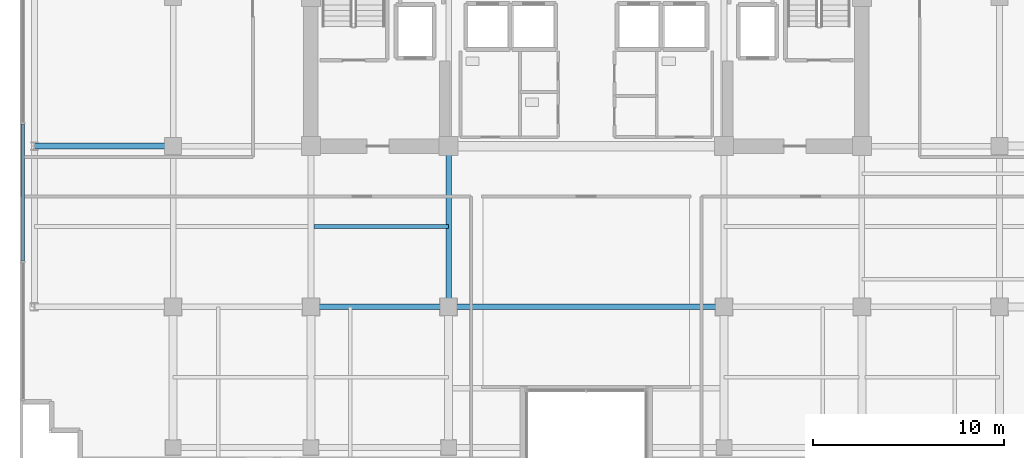
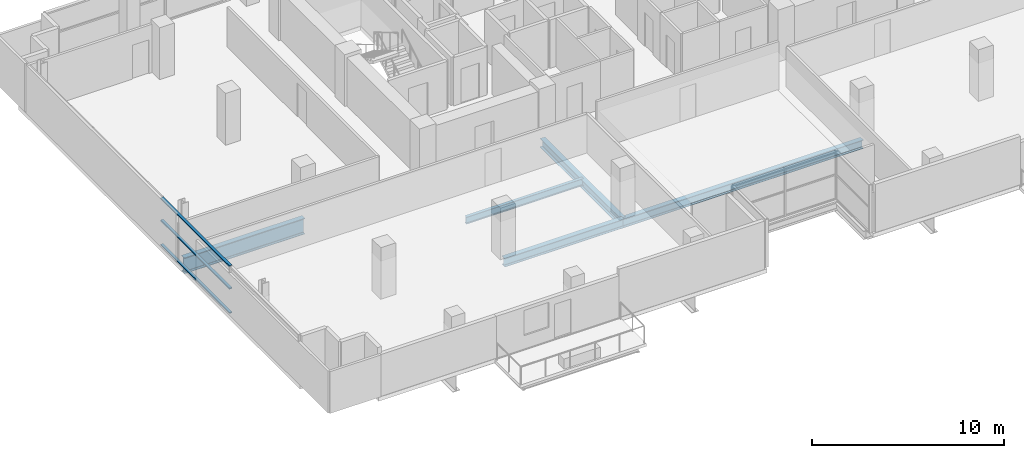
# One storey, part 7 of 27: 5 beams, 3 members, 1 element without a shape of its own.
"""IFC4 building model written with IfcOpenShell, lengths in metres."""

from ifc_helpers import new_model, si_unit, direction, frame, origin, origin_2d, place, context, subcontext, project, spatial, hollow_rectangle, i_section, extrude, source, transform, mapped, material, layer, layer_set, material_profile, profile_set, type_object, element, aggregate, save


model = new_model("IFC4")

# Units and contexts
model_context = context("Model", 3, precision=1e-05, world=origin(), true_north=direction((0.0, 1.0)))
body_context = subcontext(model_context, "Body", "Model", "MODEL_VIEW")
ifc_project = project(units=[si_unit("LENGTHUNIT", "METRE"), si_unit("AREAUNIT", "SQUARE_METRE"), si_unit("VOLUMEUNIT", "CUBIC_METRE"), si_unit("PLANEANGLEUNIT", "RADIAN"), si_unit("MASSUNIT", "GRAM", prefix="KILO")], contexts=[model_context])

# Site, building, storey
site_placement = place(None, origin())
site = spatial("IfcSite", under=ifc_project, at=site_placement, CompositionType="ELEMENT")
building_placement = place(site_placement, origin())
building = spatial("IfcBuilding", under=site, at=building_placement, Name="Zarnakvel Exchange Tower", CompositionType="ELEMENT")
storey_placement = place(building_placement, frame((0.0, 0.0, 86.800048828125)))
storey = spatial("IfcBuildingStorey", under=building, at=storey_placement, Name="L23", CompositionType="ELEMENT", Elevation=86.800048828125)

# Beams
ifc_material_1 = material(Name="Steel S355", Category="steel")
ifc_material_profile_1 = material_profile(ifc_material_1, i_section(OverallWidth=0.18994140625, OverallDepth=0.449951171875, WebThickness=0.009521484375, FlangeThickness=0.0146484375, FilletRadius=0.02099609375, at=origin_2d()))
ifc_profile_set_1 = profile_set([ifc_material_profile_1], Name="Steel S355")
beam_type_1 = type_object("IfcBeamType", Name="B-05", PredefinedType="JOIST", material=ifc_profile_set_1)
beam_1_placement = place(storey_placement, frame((-14.25, -5.39990234375, -0.47509765625), z_axis=(1.0, 0.0, 0.0), x_axis=(0.0, 1.0, 0.0)))
element("IfcBeam", 1, at=beam_1_placement, inside=storey, type_object=beam_type_1, Name="L23 Composite Floor Secondary Joist", PredefinedType="JOIST", context=body_context, shape_type="SweptSolid", body=[
    extrude(i_section(OverallWidth=0.18994140625, OverallDepth=0.449951171875, WebThickness=0.009521484375, FlangeThickness=0.0146484375, FilletRadius=0.02099609375, at=origin_2d()), origin(), (0.0, 0.0, 1.0), 7.050048828125),
])
ifc_material_profile_2 = material_profile(ifc_material_1, i_section(OverallWidth=0.300048828125, OverallDepth=0.550048828125, WebThickness=0.014892578125, FlangeThickness=0.029052734375, FilletRadius=0.027099609375, at=origin_2d()))
ifc_profile_set_2 = profile_set([ifc_material_profile_2], Name="Steel S355")
beam_type_2 = type_object("IfcBeamType", Name="G-05", PredefinedType="BEAM", material=ifc_profile_set_2)
beam_2_placement = place(storey_placement, frame((-14.39990234375, -9.60009765625, -0.525146484375), z_axis=(1.0, 0.0, 0.0), x_axis=(0.0, 1.0, 0.0)))
element("IfcBeam", 2, at=beam_2_placement, inside=storey, type_object=beam_type_2, Name="L23 Tower E-W Frame Beam", PredefinedType="BEAM", context=body_context, shape_type="SweptSolid", body=[
    extrude(i_section(OverallWidth=0.300048828125, OverallDepth=0.550048828125, WebThickness=0.014892578125, FlangeThickness=0.029052734375, FilletRadius=0.027099609375, at=origin_2d()), origin(), (0.0, 0.0, 1.0), 7.199951171875),
])
beam_3_placement = place(storey_placement, frame((-7.199951171875, -9.60009765625, -0.525146484375), z_axis=(1.0, 0.0, 0.0), x_axis=(0.0, 1.0, 0.0)))
element("IfcBeam", 3, at=beam_3_placement, inside=storey, type_object=beam_type_2, Name="L23 Tower E-W Frame Beam", PredefinedType="BEAM", context=body_context, shape_type="SweptSolid", body=[
    extrude(i_section(OverallWidth=0.300048828125, OverallDepth=0.550048828125, WebThickness=0.014892578125, FlangeThickness=0.029052734375, FilletRadius=0.027099609375, at=origin_2d()), origin(), (0.0, 0.0, 1.0), 14.39990234375),
])
beam_4_placement = place(storey_placement, frame((-7.199951171875, -9.60009765625, -0.525146484375), z_axis=(0.0, 1.0, 0.0), x_axis=(-1.0, 0.0, 0.0)))
element("IfcBeam", 4, at=beam_4_placement, inside=storey, type_object=beam_type_2, Name="L23 Tower N-S Frame Beam", PredefinedType="BEAM", context=body_context, shape_type="SweptSolid", body=[
    extrude(i_section(OverallWidth=0.300048828125, OverallDepth=0.550048828125, WebThickness=0.014892578125, FlangeThickness=0.029052734375, FilletRadius=0.027099609375, at=origin_2d()), origin(), (0.0, 0.0, 1.0), 8.400146484375),
])
ifc_material_2 = material(Name="Steel S460", Category="steel")
ifc_material_profile_3 = material_profile(ifc_material_2, i_section(OverallWidth=0.302001953125, OverallDepth=1.008056640625, WebThickness=0.02099609375, FlangeThickness=0.0400390625, FilletRadius=0.030029296875, at=origin_2d()))
ifc_profile_set_3 = profile_set([ifc_material_profile_3], Name="Steel S460")
beam_type_3 = type_object("IfcBeamType", Name="TG-05", PredefinedType="BEAM", material=ifc_profile_set_3)
beam_5_placement = place(storey_placement, frame((-28.85009765625, -1.199951171875, -0.754150390625), z_axis=(1.0, 0.0, 0.0), x_axis=(0.0, 1.0, 0.0)))
element("IfcBeam", 5, at=beam_5_placement, inside=storey, type_object=beam_type_3, Name="L23 Block-Shift Continuous Transfer TW-D", PredefinedType="BEAM", context=body_context, shape_type="SweptSolid", body=[
    extrude(i_section(OverallWidth=0.302001953125, OverallDepth=1.008056640625, WebThickness=0.02099609375, FlangeThickness=0.0400390625, FilletRadius=0.030029296875, at=origin_2d()), origin(), (0.0, 0.0, 1.0), 7.25),
])

# Curtain wall, members
ifc_material_3 = material(Name="Architectural Bronze Anodised Aluminium", Category="aluminium")
ifc_layer = layer(ifc_material_3, 0.199951171875)
ifc_layer_set = layer_set([ifc_layer], Name="Architectural Bronze Anodised Aluminium")
curtain_wall_type = type_object("IfcCurtainWallType", Name="CW-04", PredefinedType="NOTDEFINED", material=ifc_layer_set)
curtain_wall_placement = place(storey_placement, origin())
curtain_wall = element("IfcCurtainWall", 6, at=curtain_wall_placement, inside=storey, type_object=curtain_wall_type, Name="L23 Curtain Wall CW-L23-W1 (CW-04)", PredefinedType="NOTDEFINED")
ifc_material_profile_4 = material_profile(ifc_material_3, hollow_rectangle(XDim=0.159912109375, YDim=0.074951171875, WallThickness=0.00390625, at=origin_2d()))
ifc_profile_set_4 = profile_set([ifc_material_profile_4], Name="Architectural Bronze Anodised Aluminium")
member_type = type_object("IfcMemberType", Name="CWT-04", PredefinedType="USERDEFINED", material=ifc_profile_set_4)
shared_shape = source(origin(), body_context, "Body", "SweptSolid", [
    extrude(hollow_rectangle(XDim=0.159912109375, YDim=0.074951171875, WallThickness=0.00390625, at=origin_2d()), origin(), (0.0, 0.0, 1.0), 7.1748046875),
])
member_1_placement = place(storey_placement, frame((-29.4599609375, -7.21240234375, 0.037353515625), z_axis=(0.0, 1.0, 0.0), x_axis=(-1.0, 0.0, 0.0)))
member_1 = element("IfcMember", 7, at=member_1_placement, type_object=member_type, Name="CW-04 transom 2.1", ObjectType="TRANSOM", PredefinedType="USERDEFINED", context=body_context, shape_type="MappedRepresentation", body=[
    mapped(shared_shape, transform((0.0, 0.0, 0.0), x_axis=(1.0, 0.0, 0.0), y_axis=(0.0, 1.0, 0.0), z_axis=(0.0, 0.0, 1.0), scale=1.0)),
])
member_2_placement = place(storey_placement, frame((-29.4599609375, -7.21240234375, 1.588623046875), z_axis=(0.0, 1.0, 0.0), x_axis=(-1.0, 0.0, 0.0)))
member_2 = element("IfcMember", 8, at=member_2_placement, type_object=member_type, Name="CW-04 transom 2.2", ObjectType="TRANSOM", PredefinedType="USERDEFINED", context=body_context, shape_type="MappedRepresentation", body=[
    mapped(shared_shape, transform((0.0, 0.0, 0.0), x_axis=(1.0, 0.0, 0.0), y_axis=(0.0, 1.0, 0.0), z_axis=(0.0, 0.0, 1.0), scale=1.0)),
])
member_3_placement = place(storey_placement, frame((-29.4599609375, -7.21240234375, 3.017333984375), z_axis=(0.0, 1.0, 0.0), x_axis=(-1.0, 0.0, 0.0)))
member_3 = element("IfcMember", 9, at=member_3_placement, type_object=member_type, Name="CW-04 transom 2.3", ObjectType="TRANSOM", PredefinedType="USERDEFINED", context=body_context, shape_type="MappedRepresentation", body=[
    mapped(shared_shape, transform((0.0, 0.0, 0.0), x_axis=(1.0, 0.0, 0.0), y_axis=(0.0, 1.0, 0.0), z_axis=(0.0, 0.0, 1.0), scale=1.0)),
])
aggregate(curtain_wall, [member_1, member_2, member_3])

save(model, "model.ifc")
